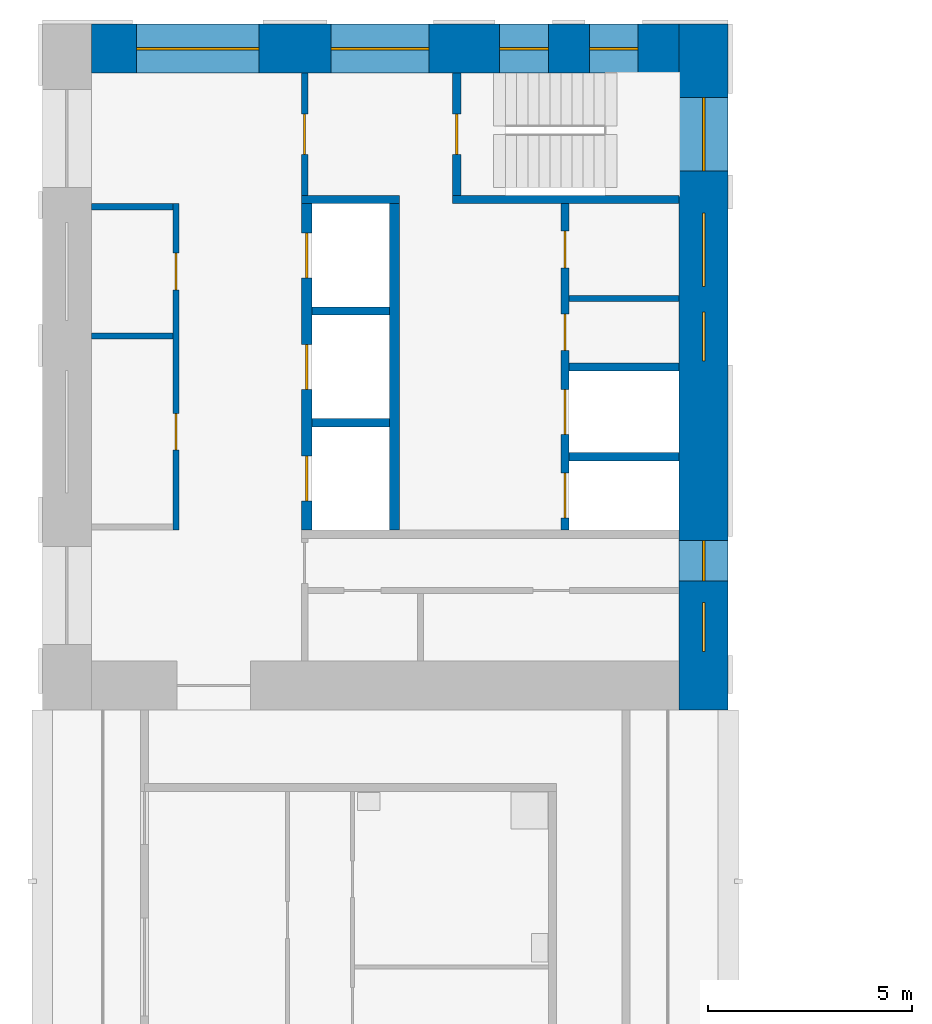
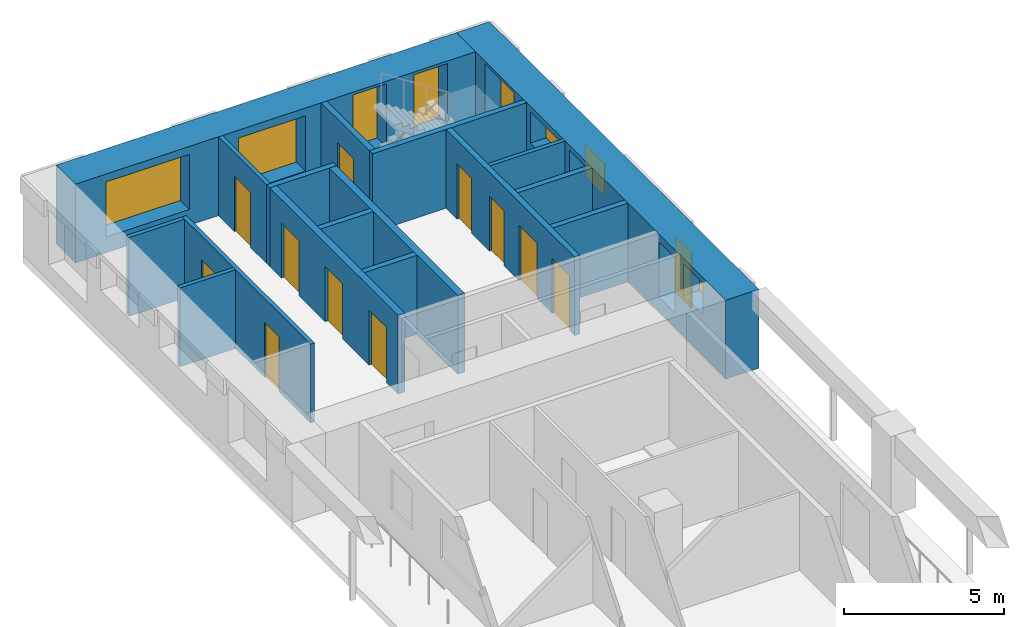
# One storey, part 6 of 11: 17 walls, 11 doors, 9 windows, 20 openings.
"""IFC4 building model written with IfcOpenShell, lengths in metres."""

import ifcopenshell
import ifcopenshell.guid

model = None  # the IFC model being written
_history = None  # IfcOwnerHistory: only IFC2X3 demands one
_inside = {}  # id of a spatial element -> (the spatial element, [elements in it])
_under = {}  # id of a project, library or spatial element -> (it, [spatial elements below it])
_declared = {}  # id of a project -> (the project, [libraries it declares])
_typed = {}  # id of a type object -> (the type object, [elements of that type])
_made_of = {}  # id of a material, layer set ... -> (it, [elements and type objects made of it])


def new_model(schema):
    """Start an empty IFC model of exactly this schema.

    Asked for "IFC4X3", IfcOpenShell would pick the latest addendum, in which some entities
    have other attributes; the version numbers below select the first issue.
    IFC2X3 requires an IfcOwnerHistory on every rooted entity: one is made here for all.
    """
    global model, _history
    if schema == "IFC4X3":
        model = ifcopenshell.file(schema_version=(4, 3, 0, 0))
    else:
        model = ifcopenshell.file(schema=schema)
    _inside.clear()
    _under.clear()
    _declared.clear()
    _typed.clear()
    _made_of.clear()
    _history = None
    if model.schema == "IFC2X3":
        org = make("IfcOrganization", Name="unknown")
        user = make(
            "IfcPersonAndOrganization",
            ThePerson=make("IfcPerson", FamilyName="unknown"),
            TheOrganization=org,
        )
        app = make(
            "IfcApplication",
            ApplicationDeveloper=org,
            Version="unknown",
            ApplicationFullName="unknown",
            ApplicationIdentifier="unknown",
        )
        _history = make(
            "IfcOwnerHistory",
            OwningUser=user,
            OwningApplication=app,
            ChangeAction="ADDED",
            CreationDate=0,
        )
    return model


def make(cls, **values):
    """One entity of the class cls with the attributes given. An attribute that is None is left unset."""
    return model.create_entity(
        cls, **{name: value for name, value in values.items() if value is not None}
    )


def rooted(cls, **values):
    """An entity with a GlobalId (a new one), such as an element, a storey or a relation."""
    return make(cls, GlobalId=ifcopenshell.guid.new(), OwnerHistory=_history, **values)


def si_unit(unit_type, name, prefix=None):
    """IfcSIUnit, for example si_unit("LENGTHUNIT", "METRE", prefix="MILLI")."""
    return make("IfcSIUnit", UnitType=unit_type, Prefix=prefix, Name=name)


def assignment(units):
    """IfcUnitAssignment: the units of a project."""
    return None if units is None else make("IfcUnitAssignment", Units=units)


def point(xyz):
    """IfcCartesianPoint."""
    return None if xyz is None else make("IfcCartesianPoint", Coordinates=xyz)


def direction(xyz):
    """IfcDirection."""
    return None if xyz is None else make("IfcDirection", DirectionRatios=xyz)


def frame(location, z_axis=None, x_axis=None):
    """IfcAxis2Placement3D, a coordinate frame: its origin and axes. An axis left out is left unset."""
    return make(
        "IfcAxis2Placement3D",
        Location=point(location),
        Axis=direction(z_axis),
        RefDirection=direction(x_axis),
    )


def frame_2d(location, x_axis=None):
    """IfcAxis2Placement2D, a coordinate frame in the plane: its origin and x axis."""
    return make(
        "IfcAxis2Placement2D", Location=point(location), RefDirection=direction(x_axis)
    )


def origin():
    """The frame at (0, 0, 0) with its axes left unset."""
    return frame((0.0, 0.0, 0.0))


def place(relative_to, where):
    """IfcLocalPlacement: puts the frame where relative to a parent placement (None: the world)."""
    return make(
        "IfcLocalPlacement", PlacementRelTo=relative_to, RelativePlacement=where
    )


def context(
    kind, dimensions, precision=None, world=None, true_north=None, identifier=None
):
    """IfcGeometricRepresentationContext, for example the 3D "Model" context."""
    return make(
        "IfcGeometricRepresentationContext",
        ContextIdentifier=identifier,
        ContextType=kind,
        CoordinateSpaceDimension=dimensions,
        Precision=precision,
        WorldCoordinateSystem=world,
        TrueNorth=true_north,
    )


def subcontext(parent, identifier, kind, view, scale=None):
    """IfcGeometricRepresentationSubContext, for example "Body" below "Model"."""
    return make(
        "IfcGeometricRepresentationSubContext",
        ContextIdentifier=identifier,
        ContextType=kind,
        ParentContext=parent,
        TargetScale=scale,
        TargetView=view,
    )


def project(units=None, contexts=None):
    """IfcProject with its units and contexts."""
    return rooted(
        "IfcProject",
        Name="project",
        RepresentationContexts=contexts,
        UnitsInContext=assignment(units),
    )


def spatial(cls, under=None, at=None, **own):
    """A site, building, storey or space (cls), placed at a placement, below another one or the project."""
    s = rooted(cls, ObjectPlacement=at, **own)
    if under is not None:
        _under.setdefault(under.id(), (under, []))[1].append(s)
    return s


def profile(cls, at=None, kind="AREA", **sizes):
    """A parametric profile (cls). Its sizes go by their IFC names, for example OverallWidth=200.0."""
    return make(cls, ProfileType=kind, Position=at, **sizes)


def rectangle(**sizes):
    """IfcRectangleProfileDef."""
    return profile("IfcRectangleProfileDef", **sizes)


def extrude(swept, where, along, depth):
    """IfcExtrudedAreaSolid: the profile swept, set in the frame where, extruded along a direction by depth."""
    return make(
        "IfcExtrudedAreaSolid",
        SweptArea=swept,
        Position=where,
        ExtrudedDirection=direction(along),
        Depth=depth,
    )


def shape(context_of_items, identifier, shape_type, items):
    """IfcShapeRepresentation: the items that make up one representation, for example the "Body"."""
    return make(
        "IfcShapeRepresentation",
        ContextOfItems=context_of_items,
        RepresentationIdentifier=identifier,
        RepresentationType=shape_type,
        Items=items,
    )


def material(Name=None, Category=None):
    """IfcMaterial."""
    return make("IfcMaterial", Name=Name, Category=Category)


def layer(
    of_material, thickness, ventilated=None, Name=None, Category=None, Priority=None
):
    """IfcMaterialLayer: one layer of a wall or slab, of a material (None: an air gap)."""
    return make(
        "IfcMaterialLayer",
        Material=of_material,
        LayerThickness=thickness,
        IsVentilated=ventilated,
        Name=Name,
        Category=Category,
        Priority=Priority,
    )


def layer_set(layers, Name=None):
    """IfcMaterialLayerSet."""
    return make("IfcMaterialLayerSet", MaterialLayers=layers, LayerSetName=Name)


def made_of(thing, what):
    """Note that an element or type object is made of a material, layer set ...; save() writes the relation."""
    if what is not None:
        _made_of.setdefault(what.id(), (what, []))[1].append(thing)
    return thing


def type_object(cls, material=None, **own):
    """A type object (cls), such as IfcWallType, which elements share."""
    return made_of(rooted(cls, **own), material)


def element(
    cls,
    number,
    at=None,
    inside=None,
    cuts=None,
    type_object=None,
    material=None,
    context=None,
    identifier="Body",
    shape_type=None,
    held_by="IfcProductDefinitionShape",
    body=None,
    shapes=None,
    **own,
):
    """One element of the class cls, such as IfcWall. Its Tag is "e" and its number.

    at: its placement. inside: the storey or other place that contains it. cuts: it is an
    opening in that element (IfcRelVoidsElement). A single representation is given by context,
    identifier, shape_type and body (its items); several are given by shapes. held_by: the class
    of the entity that holds the representations. save() writes the other relations.
    """
    e = rooted(cls, Tag="e%d" % number, ObjectPlacement=at, **own)
    if body is not None:
        shapes = [shape(context, identifier, shape_type, body)]
    if shapes is not None:
        e.Representation = make(held_by, Representations=shapes)
    if inside is not None:
        _inside.setdefault(inside.id(), (inside, []))[1].append(e)
    if cuts is not None:
        rooted(
            "IfcRelVoidsElement", RelatingBuildingElement=cuts, RelatedOpeningElement=e
        )
    if type_object is not None:
        _typed.setdefault(type_object.id(), (type_object, []))[1].append(e)
    return made_of(e, material)


def fill(opening, filler):
    """IfcRelFillsElement: the door or window that sits in an opening."""
    return rooted(
        "IfcRelFillsElement",
        RelatingOpeningElement=opening,
        RelatedBuildingElement=filler,
    )


def aggregate(whole, parts):
    """IfcRelAggregates: a whole, such as a stair, and the parts it consists of."""
    return rooted("IfcRelAggregates", RelatingObject=whole, RelatedObjects=parts)


def save(model, path):
    """Write the relations noted so far, then the file.

    IfcRelAggregates (storeys below a building ...), IfcRelContainedInSpatialStructure (elements
    in a storey), IfcRelDefinesByType, IfcRelAssociatesMaterial and IfcRelDeclares: one each for
    every whole, place, type object, material and project.
    """
    for whole, parts in _under.values():
        aggregate(whole, parts)
    for where, things in _inside.values():
        rooted(
            "IfcRelContainedInSpatialStructure",
            RelatedElements=things,
            RelatingStructure=where,
        )
    for kind, things in _typed.values():
        rooted("IfcRelDefinesByType", RelatedObjects=things, RelatingType=kind)
    for what, things in _made_of.values():
        rooted("IfcRelAssociatesMaterial", RelatedObjects=things, RelatingMaterial=what)
    for by, libraries in _declared.values():
        rooted("IfcRelDeclares", RelatingContext=by, RelatedDefinitions=libraries)
    model.write(path)


model = new_model("IFC4")

# Units and contexts
model_context = context("Model", 3, precision=1e-05, world=origin(), true_north=direction((0.0, 1.0)))
body_context = subcontext(model_context, "Body", "Model", "MODEL_VIEW")
ifc_project = project(units=[si_unit("LENGTHUNIT", "METRE"), si_unit("AREAUNIT", "SQUARE_METRE"), si_unit("VOLUMEUNIT", "CUBIC_METRE"), si_unit("PLANEANGLEUNIT", "RADIAN"), si_unit("MASSUNIT", "GRAM", prefix="KILO")], contexts=[model_context])

# Site, building, storey
site_placement = place(None, origin())
site = spatial("IfcSite", under=ifc_project, at=site_placement, CompositionType="ELEMENT")
building_placement = place(site_placement, origin())
building = spatial("IfcBuilding", under=site, at=building_placement, Name="Vermilion Gate Residences", CompositionType="ELEMENT")
storey_placement = place(building_placement, frame((0.0, 0.0, 203.699951171875)))
storey = spatial("IfcBuildingStorey", under=building, at=storey_placement, Name="L53", CompositionType="ELEMENT", Elevation=203.699951171875)

# Walls
ifc_material_1 = material(Name="Masonry blockwork", Category="masonry")
ifc_layer_1 = layer(ifc_material_1, 0.14990234375)
ifc_layer_set_1 = layer_set([ifc_layer_1], Name="BLOCKWORK PARTITION 150 EI 120")
wall_type_1 = type_object("IfcWallType", Name="BLOCKWORK PARTITION 150 EI 120", PredefinedType="PARTITIONING", material=ifc_layer_set_1)
for number, where, z_axis, x_axis, name in (
    (1, (9.60009765625, 54.324951171875, 0.0), (0.0, 0.0, 1.0), (1.0, 0.0, 0.0), "Core room partition B53-RW-W"),
    (2, (9.60009765625, 51.155029296875, 0.0), (0.0, 0.0, 1.0), (1.0, 0.0, 0.0), "Core room partition B53-SR-P0"),
):
    element("IfcWall", number, at=place(storey_placement, frame(where, z_axis=z_axis, x_axis=x_axis)), inside=storey, type_object=wall_type_1, Name=name, PredefinedType="PARTITIONING", context=body_context, shape_type="SweptSolid", body=[
        extrude(rectangle(XDim=2.0, YDim=0.14990234375, at=frame_2d((1.0, 0.0))), origin(), (0.0, 0.0, 1.0), 3.0),
    ])

# Wall, openings, doors
wall_1_placement = place(storey_placement, frame((11.675048828125, 54.39990234375, 0.0), z_axis=(0.0, 0.0, 1.0), x_axis=(0.0, -1.0, 0.0)))
wall_1 = element("IfcWall", 3, at=wall_1_placement, inside=storey, type_object=wall_type_1, Name="Core room partition B53-LR-F", PredefinedType="PARTITIONING", context=body_context, shape_type="SweptSolid", body=[
    extrude(rectangle(XDim=8.0, YDim=0.14990234375, at=frame_2d((4.0, 0.0))), origin(), (0.0, 0.0, 1.0), 3.0),
])
opening_1_placement = place(wall_1_placement, frame((1.2099609375, 0.0, 0.0)))
opening_1 = element("IfcOpeningElement", 4, at=opening_1_placement, cuts=wall_1, Name="Opening DK53102", PredefinedType="OPENING", context=body_context, shape_type="SweptSolid", body=[
    extrude(rectangle(XDim=0.89990234375, YDim=2.10009765625, at=frame_2d((0.449951171875, 1.050048828125))), frame((0.0, 0.0849609375, 0.0), z_axis=(0.0, -1.0, 0.0), x_axis=(1.0, 0.0, 0.0)), (0.0, 0.0, 1.0), 0.169921875),
])
opening_2_placement = place(wall_1_placement, frame((5.135009765625, 0.0, 0.0)))
opening_2 = element("IfcOpeningElement", 5, at=opening_2_placement, cuts=wall_1, Name="Opening DK53103", PredefinedType="OPENING", context=body_context, shape_type="SweptSolid", body=[
    extrude(rectangle(XDim=0.89990234375, YDim=2.10009765625, at=frame_2d((0.449951171875, 1.050048828125))), frame((0.0, 0.0849609375, 0.0), z_axis=(0.0, -1.0, 0.0), x_axis=(1.0, 0.0, 0.0)), (0.0, 0.0, 1.0), 0.169921875),
])
ifc_material_2 = material(Name="Steel", Category="steel")
door_type_1 = type_object("IfcDoorType", Name="SERVICE ROOM DOOR FD60 900 X 2100", OperationType="SINGLE_SWING_LEFT", PredefinedType="DOOR", material=ifc_material_2)
door_1_placement = place(opening_1_placement, frame((0.89990234375, 0.0, 0.0), z_axis=(0.0, 0.0, 1.0), x_axis=(-1.0, 0.0, 0.0)))
door_1 = element("IfcDoor", 6, at=door_1_placement, inside=storey, type_object=door_type_1, Name="Refuse room B53", OperationType="SINGLE_SWING_LEFT", OverallHeight=2.10009765625, OverallWidth=0.89990234375, PredefinedType="DOOR", context=body_context, shape_type="SweptSolid", body=[
    extrude(rectangle(XDim=0.89990234375, YDim=2.10009765625, at=frame_2d((0.449951171875, 1.050048828125))), frame((0.0, 0.02490234375, 0.0), z_axis=(0.0, -1.0, 0.0), x_axis=(1.0, 0.0, 0.0)), (0.0, 0.0, 1.0), 0.050048828125),
])
fill(opening_1, door_1)
door_2_placement = place(opening_2_placement, frame((0.89990234375, 0.0, 0.0), z_axis=(0.0, 0.0, 1.0), x_axis=(-1.0, 0.0, 0.0)))
door_2 = element("IfcDoor", 7, at=door_2_placement, inside=storey, type_object=door_type_1, Name="Parcel room B53", OperationType="SINGLE_SWING_LEFT", OverallHeight=2.10009765625, OverallWidth=0.89990234375, PredefinedType="DOOR", context=body_context, shape_type="SweptSolid", body=[
    extrude(rectangle(XDim=0.89990234375, YDim=2.10009765625, at=frame_2d((0.449951171875, 1.050048828125))), frame((0.0, 0.02490234375, 0.0), z_axis=(0.0, -1.0, 0.0), x_axis=(1.0, 0.0, 0.0)), (0.0, 0.0, 1.0), 0.050048828125),
])
fill(opening_2, door_2)

# Wall
wall_2_placement = place(storey_placement, frame((21.300048828125, 52.074951171875, 0.0), z_axis=(0.0, 0.0, 1.0), x_axis=(1.0, 0.0, 0.0)))
element("IfcWall", 8, at=wall_2_placement, inside=storey, type_object=wall_type_1, Name="Core room partition B53-NR-P0", PredefinedType="PARTITIONING", context=body_context, shape_type="SweptSolid", body=[
    extrude(rectangle(XDim=2.699951171875, YDim=0.14990234375, at=frame_2d((1.35009765625, 0.0))), origin(), (0.0, 0.0, 1.0), 3.0),
])

# Wall, opening, door
wall_3_placement = place(storey_placement, frame((14.824951171875, 57.60009765625, 0.0), z_axis=(0.0, 0.0, 1.0), x_axis=(0.0, -1.0, 0.0)))
wall_3 = element("IfcWall", 9, at=wall_3_placement, inside=storey, type_object=wall_type_1, Name="Core room partition B53-VW-S", PredefinedType="PARTITIONING", context=body_context, shape_type="SweptSolid", body=[
    extrude(rectangle(XDim=3.0, YDim=0.14990234375, at=frame_2d((1.5, 0.0))), origin(), (0.0, 0.0, 1.0), 3.0),
])
opening_3_placement = place(wall_3_placement, frame((1.0, 0.0, 0.0)))
opening_3 = element("IfcOpeningElement", 10, at=opening_3_placement, cuts=wall_3, Name="Opening DK53111", PredefinedType="OPENING", context=body_context, shape_type="SweptSolid", body=[
    extrude(rectangle(XDim=1.0, YDim=2.10009765625, at=frame_2d((0.5, 1.050048828125))), frame((0.0, 0.0849609375, 0.0), z_axis=(0.0, -1.0, 0.0), x_axis=(1.0, 0.0, 0.0)), (0.0, 0.0, 1.0), 0.169921875),
])
ifc_material_3 = material(Name="Steel", Category="steel")
door_type_2 = type_object("IfcDoorType", Name="FIRE DOOR FD60 1000 X 2100", OperationType="SINGLE_SWING_LEFT", PredefinedType="DOOR", material=ifc_material_3)
door_3_placement = place(opening_3_placement, frame((1.0, 0.0, 0.0), z_axis=(0.0, 0.0, 1.0), x_axis=(-1.0, 0.0, 0.0)))
door_3 = element("IfcDoor", 11, at=door_3_placement, inside=storey, type_object=door_type_2, Name="Stair vestibule door B53", OperationType="SINGLE_SWING_RIGHT", OverallHeight=2.10009765625, OverallWidth=1.0, PredefinedType="DOOR", context=body_context, shape_type="SweptSolid", body=[
    extrude(rectangle(XDim=1.0, YDim=2.10009765625, at=frame_2d((0.5, 1.050048828125))), frame((0.0, 0.02490234375, 0.0), z_axis=(0.0, -1.0, 0.0), x_axis=(1.0, 0.0, 0.0)), (0.0, 0.0, 1.0), 0.050048828125),
])
fill(opening_3, door_3)

# Walls
ifc_material_4 = material(Name="Concrete C60", Category="concrete")
ifc_layer_2 = layer(ifc_material_4, 0.199951171875)
ifc_layer_set_2 = layer_set([ifc_layer_2], Name="RC CORE INTERNAL WALL 200 C60")
wall_type_2 = type_object("IfcWallType", Name="RC CORE INTERNAL WALL 200 C60", PredefinedType="SHEAR", material=ifc_layer_set_2)
for number, where, z_axis, x_axis, name in (
    (12, (15.0, 51.7666015625, 0.0), (0.0, 0.0, 1.0), (1.0, 0.0, 0.0), "Core internal wall B53-HR-D1"),
    (13, (15.0, 49.033447265625, 0.0), (0.0, 0.0, 1.0), (1.0, 0.0, 0.0), "Core internal wall B53-HR-D2"),
):
    element("IfcWall", number, at=place(storey_placement, frame(where, z_axis=z_axis, x_axis=x_axis)), inside=storey, type_object=wall_type_2, Name=name, PredefinedType="SHEAR", context=body_context, shape_type="SweptSolid", body=[
        extrude(rectangle(XDim=1.89990234375, YDim=0.199951171875, at=frame_2d((0.949951171875, 0.0))), origin(), (0.0, 0.0, 1.0), 3.0),
    ])
for number, where, z_axis, x_axis, name in (
    (14, (21.300048828125, 50.39990234375, 0.0), (0.0, 0.0, 1.0), (1.0, 0.0, 0.0), "Core internal wall B53-FF-D0"),
    (15, (21.300048828125, 48.199951171875, 0.0), (0.0, 0.0, 1.0), (1.0, 0.0, 0.0), "Core internal wall B53-FF-D1"),
):
    element("IfcWall", number, at=place(storey_placement, frame(where, z_axis=z_axis, x_axis=x_axis)), inside=storey, type_object=wall_type_2, Name=name, PredefinedType="SHEAR", context=body_context, shape_type="SweptSolid", body=[
        extrude(rectangle(XDim=2.699951171875, YDim=0.199951171875, at=frame_2d((1.35009765625, 0.0))), origin(), (0.0, 0.0, 1.0), 3.0),
    ])

# Wall, openings, doors
wall_4_placement = place(storey_placement, frame((21.199951171875, 54.39990234375, 0.0), z_axis=(0.0, 0.0, 1.0), x_axis=(0.0, -1.0, 0.0)))
wall_4 = element("IfcWall", 16, at=wall_4_placement, inside=storey, type_object=wall_type_2, Name="Core internal wall B53-FF-F", PredefinedType="SHEAR", context=body_context, shape_type="SweptSolid", body=[
    extrude(rectangle(XDim=8.0, YDim=0.199951171875, at=frame_2d((4.0, 0.0))), origin(), (0.0, 0.0, 1.0), 3.0),
])
opening_4_placement = place(wall_4_placement, frame((0.675048828125, 0.0, 0.0)))
opening_4 = element("IfcOpeningElement", 17, at=opening_4_placement, cuts=wall_4, Name="Opening DK53107", PredefinedType="OPENING", context=body_context, shape_type="SweptSolid", body=[
    extrude(rectangle(XDim=0.89990234375, YDim=2.10009765625, at=frame_2d((0.449951171875, 1.050048828125))), frame((0.0, 0.10986328125, 0.0), z_axis=(0.0, -1.0, 0.0), x_axis=(1.0, 0.0, 0.0)), (0.0, 0.0, 1.0), 0.219970703125),
])
opening_5_placement = place(wall_4_placement, frame((2.699951171875, 0.0, 0.0)))
opening_5 = element("IfcOpeningElement", 18, at=opening_5_placement, cuts=wall_4, Name="Opening DK53108", PredefinedType="OPENING", context=body_context, shape_type="SweptSolid", body=[
    extrude(rectangle(XDim=0.89990234375, YDim=2.10009765625, at=frame_2d((0.449951171875, 1.050048828125))), frame((0.0, 0.10986328125, 0.0), z_axis=(0.0, -1.0, 0.0), x_axis=(1.0, 0.0, 0.0)), (0.0, 0.0, 1.0), 0.219970703125),
])
opening_6_placement = place(wall_4_placement, frame((4.550048828125, 0.0, 0.0)))
opening_6 = element("IfcOpeningElement", 19, at=opening_6_placement, cuts=wall_4, Name="Opening LD", PredefinedType="OPENING", context=body_context, shape_type="SweptSolid", body=[
    extrude(rectangle(XDim=1.10009765625, YDim=2.10009765625, at=frame_2d((0.550048828125, 1.050048828125))), frame((0.0, 0.10986328125, 0.0), z_axis=(0.0, -1.0, 0.0), x_axis=(1.0, 0.0, 0.0)), (0.0, 0.0, 1.0), 0.219970703125),
])
opening_7_placement = place(wall_4_placement, frame((6.60009765625, 0.0, 0.0)))
opening_7 = element("IfcOpeningElement", 20, at=opening_7_placement, cuts=wall_4, Name="Opening LD", PredefinedType="OPENING", context=body_context, shape_type="SweptSolid", body=[
    extrude(rectangle(XDim=1.10009765625, YDim=2.10009765625, at=frame_2d((0.550048828125, 1.050048828125))), frame((0.0, 0.10986328125, 0.0), z_axis=(0.0, -1.0, 0.0), x_axis=(1.0, 0.0, 0.0)), (0.0, 0.0, 1.0), 0.219970703125),
])
ifc_material_5 = material(Name="Stainless steel", Category="steel")
door_type_3 = type_object("IfcDoorType", Name="LIFT LANDING DOOR E60 1100 X 2100", OperationType="DOUBLE_DOOR_SLIDING", PredefinedType="DOOR", material=ifc_material_5)
door_4_placement = place(opening_6_placement, origin())
door_4 = element("IfcDoor", 21, at=door_4_placement, inside=storey, type_object=door_type_3, Name="Lift landing door LFB1", OperationType="DOUBLE_DOOR_SLIDING", OverallHeight=2.10009765625, OverallWidth=1.10009765625, PredefinedType="DOOR", context=body_context, shape_type="SweptSolid", body=[
    extrude(rectangle(XDim=1.10009765625, YDim=2.10009765625, at=frame_2d((0.550048828125, 1.050048828125))), frame((0.0, 0.02490234375, 0.0), z_axis=(0.0, -1.0, 0.0), x_axis=(1.0, 0.0, 0.0)), (0.0, 0.0, 1.0), 0.050048828125),
])
fill(opening_6, door_4)
door_5_placement = place(opening_7_placement, origin())
door_5 = element("IfcDoor", 22, at=door_5_placement, inside=storey, type_object=door_type_3, Name="Lift landing door LCB1", OperationType="DOUBLE_DOOR_SLIDING", OverallHeight=2.10009765625, OverallWidth=1.10009765625, PredefinedType="DOOR", context=body_context, shape_type="SweptSolid", body=[
    extrude(rectangle(XDim=1.10009765625, YDim=2.10009765625, at=frame_2d((0.550048828125, 1.050048828125))), frame((0.0, 0.02490234375, 0.0), z_axis=(0.0, -1.0, 0.0), x_axis=(1.0, 0.0, 0.0)), (0.0, 0.0, 1.0), 0.050048828125),
])
fill(opening_7, door_5)
door_6_placement = place(opening_4_placement, origin())
door_6 = element("IfcDoor", 23, at=door_6_placement, inside=storey, type_object=door_type_1, Name="Communications riser B53", OperationType="SINGLE_SWING_RIGHT", OverallHeight=2.10009765625, OverallWidth=0.89990234375, PredefinedType="DOOR", context=body_context, shape_type="SweptSolid", body=[
    extrude(rectangle(XDim=0.89990234375, YDim=2.10009765625, at=frame_2d((0.449951171875, 1.050048828125))), frame((0.0, 0.02490234375, 0.0), z_axis=(0.0, -1.0, 0.0), x_axis=(1.0, 0.0, 0.0)), (0.0, 0.0, 1.0), 0.050048828125),
])
fill(opening_4, door_6)
door_7_placement = place(opening_5_placement, origin())
door_7 = element("IfcDoor", 24, at=door_7_placement, inside=storey, type_object=door_type_1, Name="Refuse room B53", OperationType="SINGLE_SWING_RIGHT", OverallHeight=2.10009765625, OverallWidth=0.89990234375, PredefinedType="DOOR", context=body_context, shape_type="SweptSolid", body=[
    extrude(rectangle(XDim=0.89990234375, YDim=2.10009765625, at=frame_2d((0.449951171875, 1.050048828125))), frame((0.0, 0.02490234375, 0.0), z_axis=(0.0, -1.0, 0.0), x_axis=(1.0, 0.0, 0.0)), (0.0, 0.0, 1.0), 0.050048828125),
])
fill(opening_5, door_7)

# Walls
wall_5_placement = place(storey_placement, frame((14.75, 54.5, 0.0), z_axis=(0.0, 0.0, 1.0), x_axis=(1.0, 0.0, 0.0)))
element("IfcWall", 25, at=wall_5_placement, inside=storey, type_object=wall_type_2, Name="Core internal wall B53-WDIV1", PredefinedType="SHEAR", context=body_context, shape_type="SweptSolid", body=[
    extrude(rectangle(XDim=2.39990234375, YDim=0.199951171875, at=frame_2d((1.199951171875, 0.0))), origin(), (0.0, 0.0, 1.0), 3.0),
])
wall_6_placement = place(storey_placement, frame((18.449951171875, 54.5, 0.0), z_axis=(0.0, 0.0, 1.0), x_axis=(1.0, 0.0, 0.0)))
element("IfcWall", 26, at=wall_6_placement, inside=storey, type_object=wall_type_2, Name="Core internal wall B53-WDIV2", PredefinedType="SHEAR", context=body_context, shape_type="SweptSolid", body=[
    extrude(rectangle(XDim=5.550048828125, YDim=0.199951171875, at=frame_2d((2.77490234375, 0.0))), origin(), (0.0, 0.0, 1.0), 3.0),
])

# Wall, opening, door
wall_7_placement = place(storey_placement, frame((18.550048828125, 57.60009765625, 0.0), z_axis=(0.0, 0.0, 1.0), x_axis=(0.0, -1.0, 0.0)))
wall_7 = element("IfcWall", 27, at=wall_7_placement, inside=storey, type_object=wall_type_2, Name="Core internal wall B53-STW-S", PredefinedType="SHEAR", context=body_context, shape_type="SweptSolid", body=[
    extrude(rectangle(XDim=3.0, YDim=0.199951171875, at=frame_2d((1.5, 0.0))), origin(), (0.0, 0.0, 1.0), 3.0),
])
opening_8_placement = place(wall_7_placement, frame((1.0, 0.0, 0.0)))
opening_8 = element("IfcOpeningElement", 28, at=opening_8_placement, cuts=wall_7, Name="Opening DK53112", PredefinedType="OPENING", context=body_context, shape_type="SweptSolid", body=[
    extrude(rectangle(XDim=1.0, YDim=2.10009765625, at=frame_2d((0.5, 1.050048828125))), frame((0.0, 0.10986328125, 0.0), z_axis=(0.0, -1.0, 0.0), x_axis=(1.0, 0.0, 0.0)), (0.0, 0.0, 1.0), 0.219970703125),
])
door_8_placement = place(opening_8_placement, origin())
door_8 = element("IfcDoor", 29, at=door_8_placement, inside=storey, type_object=door_type_2, Name="Stair door B53", OperationType="SINGLE_SWING_LEFT", OverallHeight=2.10009765625, OverallWidth=1.0, PredefinedType="DOOR", context=body_context, shape_type="SweptSolid", body=[
    extrude(rectangle(XDim=1.0, YDim=2.10009765625, at=frame_2d((0.5, 1.050048828125))), frame((0.0, 0.02490234375, 0.0), z_axis=(0.0, -1.0, 0.0), x_axis=(1.0, 0.0, 0.0)), (0.0, 0.0, 1.0), 0.050048828125),
])
fill(opening_8, door_8)

# Wall, openings, windows
ifc_material_6 = material(Name="Concrete C60 red-oxide pigmented", Category="concrete")
ifc_layer_3 = layer(ifc_material_6, 1.199951171875)
ifc_layer_set_3 = layer_set([ifc_layer_3], Name="RC CORE WALL 1200 C60 RED OXIDE")
wall_type_3 = type_object("IfcWallType", Name="RC CORE WALL 1200 C60 RED OXIDE", PredefinedType="SHEAR", material=ifc_layer_set_3)
wall_8_placement = place(storey_placement, frame((24.60009765625, 58.800048828125, 0.0), z_axis=(0.0, 0.0, 1.0), x_axis=(0.0, -1.0, 0.0)))
wall_8 = element("IfcWall", 30, at=wall_8_placement, inside=storey, type_object=wall_type_3, Name="Core wall B53-OUT-B1", PredefinedType="SHEAR", context=body_context, shape_type="SweptSolid", body=[
    extrude(rectangle(XDim=16.800048828125, YDim=1.199951171875, at=frame_2d((8.39990234375, 0.0))), origin(), (0.0, 0.0, 1.0), 3.0),
])
opening_9_placement = place(wall_8_placement, frame((1.800048828125, 0.0, 0.5)))
opening_9 = element("IfcOpeningElement", 31, at=opening_9_placement, cuts=wall_8, Name="Opening WKB5305", PredefinedType="OPENING", context=body_context, shape_type="SweptSolid", body=[
    extrude(rectangle(XDim=1.800048828125, YDim=2.39990234375, at=frame_2d((0.89990234375, 1.199951171875))), frame((0.0, 0.60986328125, 0.0), z_axis=(0.0, -1.0, 0.0), x_axis=(1.0, 0.0, 0.0)), (0.0, 0.0, 1.0), 1.219970703125),
])
opening_10_placement = place(wall_8_placement, frame((4.625, 0.0, 1.60009765625)))
opening_10 = element("IfcOpeningElement", 32, at=opening_10_placement, cuts=wall_8, Name="Opening WKB5306", PredefinedType="OPENING", context=body_context, shape_type="SweptSolid", body=[
    extrude(rectangle(XDim=1.800048828125, YDim=1.199951171875, at=frame_2d((0.89990234375, 0.60009765625))), frame((0.0, 0.60986328125, 0.0), z_axis=(0.0, -1.0, 0.0), x_axis=(1.0, 0.0, 0.0)), (0.0, 0.0, 1.0), 1.219970703125),
])
opening_11_placement = place(wall_8_placement, frame((7.050048828125, 0.0, 1.60009765625)))
opening_11 = element("IfcOpeningElement", 33, at=opening_11_placement, cuts=wall_8, Name="Opening WKB5307", PredefinedType="OPENING", context=body_context, shape_type="SweptSolid", body=[
    extrude(rectangle(XDim=1.199951171875, YDim=1.199951171875, at=frame_2d((0.60009765625, 0.60009765625))), frame((0.0, 0.60986328125, 0.0), z_axis=(0.0, -1.0, 0.0), x_axis=(1.0, 0.0, 0.0)), (0.0, 0.0, 1.0), 1.219970703125),
])
opening_12_placement = place(wall_8_placement, frame((12.64990234375, 0.0, 0.60009765625)))
opening_12 = element("IfcOpeningElement", 34, at=opening_12_placement, cuts=wall_8, Name="Opening WKB5308", PredefinedType="OPENING", context=body_context, shape_type="SweptSolid", body=[
    extrude(rectangle(XDim=1.0, YDim=2.10009765625, at=frame_2d((0.5, 1.050048828125))), frame((0.0, 0.60986328125, 0.0), z_axis=(0.0, -1.0, 0.0), x_axis=(1.0, 0.0, 0.0)), (0.0, 0.0, 1.0), 1.219970703125),
])
opening_13_placement = place(wall_8_placement, frame((14.175048828125, 0.0, 1.60009765625)))
opening_13 = element("IfcOpeningElement", 35, at=opening_13_placement, cuts=wall_8, Name="Opening WKB5309", PredefinedType="OPENING", context=body_context, shape_type="SweptSolid", body=[
    extrude(rectangle(XDim=1.199951171875, YDim=1.199951171875, at=frame_2d((0.60009765625, 0.60009765625))), frame((0.0, 0.60986328125, 0.0), z_axis=(0.0, -1.0, 0.0), x_axis=(1.0, 0.0, 0.0)), (0.0, 0.0, 1.0), 1.219970703125),
])
ifc_material_7 = material(Name="Aluminium and clear glass", Category="aluminium")
window_type_1 = type_object("IfcWindowType", Name="CORE CORRIDOR WINDOW 1000 X 2100", PartitioningType="SINGLE_PANEL", PredefinedType="WINDOW", material=ifc_material_7)
window_1_placement = place(opening_12_placement, origin())
window_1 = element("IfcWindow", 36, at=window_1_placement, inside=storey, type_object=window_type_1, Name="Core corridor window", OverallHeight=2.10009765625, OverallWidth=1.0, PartitioningType="SINGLE_PANEL", PredefinedType="WINDOW", context=body_context, shape_type="SweptSolid", body=[
    extrude(rectangle(XDim=1.0, YDim=2.10009765625, at=frame_2d((0.5, 1.050048828125))), frame((0.0, 0.030029296875, 0.0), z_axis=(0.0, -1.0, 0.0), x_axis=(1.0, 0.0, 0.0)), (0.0, 0.0, 1.0), 0.06005859375),
])
fill(opening_12, window_1)
ifc_material_8 = material(Name="Aluminium frame with louvre blades", Category="aluminium")
window_type_2 = type_object("IfcWindowType", Name="CORE LOUVRE 1200 X 1200", PartitioningType="SINGLE_PANEL", PredefinedType="WINDOW", material=ifc_material_8)
window_2_placement = place(opening_11_placement, origin())
window_2 = element("IfcWindow", 37, at=window_2_placement, inside=storey, type_object=window_type_2, Name="Core louvre", OverallHeight=1.199951171875, OverallWidth=1.199951171875, PartitioningType="SINGLE_PANEL", PredefinedType="WINDOW", context=body_context, shape_type="SweptSolid", body=[
    extrude(rectangle(XDim=1.199951171875, YDim=1.199951171875, at=frame_2d((0.60009765625, 0.60009765625))), frame((0.0, 0.030029296875, 0.0), z_axis=(0.0, -1.0, 0.0), x_axis=(1.0, 0.0, 0.0)), (0.0, 0.0, 1.0), 0.06005859375),
])
fill(opening_11, window_2)
window_3_placement = place(opening_13_placement, origin())
window_3 = element("IfcWindow", 38, at=window_3_placement, inside=storey, type_object=window_type_2, Name="Core louvre", OverallHeight=1.199951171875, OverallWidth=1.199951171875, PartitioningType="SINGLE_PANEL", PredefinedType="WINDOW", context=body_context, shape_type="SweptSolid", body=[
    extrude(rectangle(XDim=1.199951171875, YDim=1.199951171875, at=frame_2d((0.60009765625, 0.60009765625))), frame((0.0, 0.030029296875, 0.0), z_axis=(0.0, -1.0, 0.0), x_axis=(1.0, 0.0, 0.0)), (0.0, 0.0, 1.0), 0.06005859375),
])
fill(opening_13, window_3)
ifc_material_9 = material(Name="Aluminium frame with louvre blades", Category="aluminium")
window_type_3 = type_object("IfcWindowType", Name="CORE LOUVRE 1800 X 1200", PartitioningType="SINGLE_PANEL", PredefinedType="WINDOW", material=ifc_material_9)
window_4_placement = place(opening_10_placement, origin())
window_4 = element("IfcWindow", 39, at=window_4_placement, inside=storey, type_object=window_type_3, Name="Core louvre", OverallHeight=1.199951171875, OverallWidth=1.800048828125, PartitioningType="SINGLE_PANEL", PredefinedType="WINDOW", context=body_context, shape_type="SweptSolid", body=[
    extrude(rectangle(XDim=1.800048828125, YDim=1.199951171875, at=frame_2d((0.89990234375, 0.60009765625))), frame((0.0, 0.030029296875, 0.0), z_axis=(0.0, -1.0, 0.0), x_axis=(1.0, 0.0, 0.0)), (0.0, 0.0, 1.0), 0.06005859375),
])
fill(opening_10, window_4)
ifc_material_10 = material(Name="Aluminium and clear glass", Category="aluminium")
window_type_4 = type_object("IfcWindowType", Name="CORE STAIR WINDOW 1800 X 2400", PartitioningType="SINGLE_PANEL", PredefinedType="WINDOW", material=ifc_material_10)
window_5_placement = place(opening_9_placement, origin())
window_5 = element("IfcWindow", 40, at=window_5_placement, inside=storey, type_object=window_type_4, Name="Core stair window", OverallHeight=2.39990234375, OverallWidth=1.800048828125, PartitioningType="SINGLE_PANEL", PredefinedType="WINDOW", context=body_context, shape_type="SweptSolid", body=[
    extrude(rectangle(XDim=1.800048828125, YDim=2.39990234375, at=frame_2d((0.89990234375, 1.199951171875))), frame((0.0, 0.030029296875, 0.0), z_axis=(0.0, -1.0, 0.0), x_axis=(1.0, 0.0, 0.0)), (0.0, 0.0, 1.0), 0.06005859375),
])
fill(opening_9, window_5)

wall_9_placement = place(storey_placement, frame((9.60009765625, 58.199951171875, 0.0), z_axis=(0.0, 0.0, 1.0), x_axis=(1.0, 0.0, 0.0)))
wall_9 = element("IfcWall", 41, at=wall_9_placement, inside=storey, type_object=wall_type_3, Name="Core wall B53-OUT-FR", PredefinedType="SHEAR", context=body_context, shape_type="SweptSolid", body=[
    extrude(rectangle(XDim=14.39990234375, YDim=1.199951171875, at=frame_2d((7.199951171875, 0.0))), origin(), (0.0, 0.0, 1.0), 3.0),
])
opening_14_placement = place(wall_9_placement, frame((1.10498046875, 0.0, 0.60009765625)))
opening_14 = element("IfcOpeningElement", 42, at=opening_14_placement, cuts=wall_9, Name="Opening WKB5310", PredefinedType="OPENING", context=body_context, shape_type="SweptSolid", body=[
    extrude(rectangle(XDim=3.0, YDim=2.10009765625, at=frame_2d((1.5, 1.050048828125))), frame((0.0, 0.60986328125, 0.0), z_axis=(0.0, -1.0, 0.0), x_axis=(1.0, 0.0, 0.0)), (0.0, 0.0, 1.0), 1.219970703125),
])
opening_15_placement = place(wall_9_placement, frame((5.875, 0.0, 0.60009765625)))
opening_15 = element("IfcOpeningElement", 43, at=opening_15_placement, cuts=wall_9, Name="Opening WKB5311", PredefinedType="OPENING", context=body_context, shape_type="SweptSolid", body=[
    extrude(rectangle(XDim=2.39990234375, YDim=2.10009765625, at=frame_2d((1.199951171875, 1.050048828125))), frame((0.0, 0.60986328125, 0.0), z_axis=(0.0, -1.0, 0.0), x_axis=(1.0, 0.0, 0.0)), (0.0, 0.0, 1.0), 1.219970703125),
])
opening_16_placement = place(wall_9_placement, frame((9.993408203125, 0.0, 0.5)))
opening_16 = element("IfcOpeningElement", 44, at=opening_16_placement, cuts=wall_9, Name="Opening WKB5312", PredefinedType="OPENING", context=body_context, shape_type="SweptSolid", body=[
    extrude(rectangle(XDim=1.199951171875, YDim=2.39990234375, at=frame_2d((0.60009765625, 1.199951171875))), frame((0.0, 0.60986328125, 0.0), z_axis=(0.0, -1.0, 0.0), x_axis=(1.0, 0.0, 0.0)), (0.0, 0.0, 1.0), 1.219970703125),
])
opening_17_placement = place(wall_9_placement, frame((12.19677734375, 0.0, 0.5)))
opening_17 = element("IfcOpeningElement", 45, at=opening_17_placement, cuts=wall_9, Name="Opening WKB5313", PredefinedType="OPENING", context=body_context, shape_type="SweptSolid", body=[
    extrude(rectangle(XDim=1.199951171875, YDim=2.39990234375, at=frame_2d((0.60009765625, 1.199951171875))), frame((0.0, 0.60986328125, 0.0), z_axis=(0.0, -1.0, 0.0), x_axis=(1.0, 0.0, 0.0)), (0.0, 0.0, 1.0), 1.219970703125),
])
ifc_material_11 = material(Name="Aluminium and clear glass", Category="aluminium")
window_type_5 = type_object("IfcWindowType", Name="CORE LOBBY WINDOW 2400 X 2100", PartitioningType="SINGLE_PANEL", PredefinedType="WINDOW", material=ifc_material_11)
window_6_placement = place(opening_15_placement, origin())
window_6 = element("IfcWindow", 46, at=window_6_placement, inside=storey, type_object=window_type_5, Name="Core lobby window", OverallHeight=2.10009765625, OverallWidth=2.39990234375, PartitioningType="SINGLE_PANEL", PredefinedType="WINDOW", context=body_context, shape_type="SweptSolid", body=[
    extrude(rectangle(XDim=2.39990234375, YDim=2.10009765625, at=frame_2d((1.199951171875, 1.050048828125))), frame((0.0, 0.030029296875, 0.0), z_axis=(0.0, -1.0, 0.0), x_axis=(1.0, 0.0, 0.0)), (0.0, 0.0, 1.0), 0.06005859375),
])
fill(opening_15, window_6)
ifc_material_12 = material(Name="Aluminium and clear glass", Category="aluminium")
window_type_6 = type_object("IfcWindowType", Name="CORE LOBBY WINDOW 3000 X 2100", PartitioningType="SINGLE_PANEL", PredefinedType="WINDOW", material=ifc_material_12)
window_7_placement = place(opening_14_placement, origin())
window_7 = element("IfcWindow", 47, at=window_7_placement, inside=storey, type_object=window_type_6, Name="Core lobby window", OverallHeight=2.10009765625, OverallWidth=3.0, PartitioningType="SINGLE_PANEL", PredefinedType="WINDOW", context=body_context, shape_type="SweptSolid", body=[
    extrude(rectangle(XDim=3.0, YDim=2.10009765625, at=frame_2d((1.5, 1.050048828125))), frame((0.0, 0.030029296875, 0.0), z_axis=(0.0, -1.0, 0.0), x_axis=(1.0, 0.0, 0.0)), (0.0, 0.0, 1.0), 0.06005859375),
])
fill(opening_14, window_7)
ifc_material_13 = material(Name="Aluminium and clear glass", Category="aluminium")
window_type_7 = type_object("IfcWindowType", Name="CORE STAIR WINDOW 1200 X 2400", PartitioningType="SINGLE_PANEL", PredefinedType="WINDOW", material=ifc_material_13)
window_8_placement = place(opening_16_placement, origin())
window_8 = element("IfcWindow", 48, at=window_8_placement, inside=storey, type_object=window_type_7, Name="Core stair window", OverallHeight=2.39990234375, OverallWidth=1.199951171875, PartitioningType="SINGLE_PANEL", PredefinedType="WINDOW", context=body_context, shape_type="SweptSolid", body=[
    extrude(rectangle(XDim=1.199951171875, YDim=2.39990234375, at=frame_2d((0.60009765625, 1.199951171875))), frame((0.0, 0.030029296875, 0.0), z_axis=(0.0, -1.0, 0.0), x_axis=(1.0, 0.0, 0.0)), (0.0, 0.0, 1.0), 0.06005859375),
])
fill(opening_16, window_8)
window_9_placement = place(opening_17_placement, origin())
window_9 = element("IfcWindow", 49, at=window_9_placement, inside=storey, type_object=window_type_7, Name="Core stair window", OverallHeight=2.39990234375, OverallWidth=1.199951171875, PartitioningType="SINGLE_PANEL", PredefinedType="WINDOW", context=body_context, shape_type="SweptSolid", body=[
    extrude(rectangle(XDim=1.199951171875, YDim=2.39990234375, at=frame_2d((0.60009765625, 1.199951171875))), frame((0.0, 0.030029296875, 0.0), z_axis=(0.0, -1.0, 0.0), x_axis=(1.0, 0.0, 0.0)), (0.0, 0.0, 1.0), 0.06005859375),
])
fill(opening_17, window_9)

# Wall, openings, doors
ifc_material_14 = material(Name="Concrete C60", Category="concrete")
ifc_layer_4 = layer(ifc_material_14, 0.25)
ifc_layer_set_4 = layer_set([ifc_layer_4], Name="RC LIFT SHAFT WALL 250 C60")
wall_type_4 = type_object("IfcWallType", Name="RC LIFT SHAFT WALL 250 C60", PredefinedType="SHEAR", material=ifc_layer_set_4)
wall_10_placement = place(storey_placement, frame((14.875, 54.39990234375, 0.0), z_axis=(0.0, 0.0, 1.0), x_axis=(0.0, -1.0, 0.0)))
wall_10 = element("IfcWall", 50, at=wall_10_placement, inside=storey, type_object=wall_type_4, Name="Lift shaft wall B53-HR-F", PredefinedType="SHEAR", context=body_context, shape_type="SweptSolid", body=[
    extrude(rectangle(XDim=8.0, YDim=0.25, at=frame_2d((4.0, 0.0))), origin(), (0.0, 0.0, 1.0), 3.0),
])
opening_18_placement = place(wall_10_placement, frame((0.716552734375, 0.0, 0.0)))
opening_18 = element("IfcOpeningElement", 51, at=opening_18_placement, cuts=wall_10, Name="Opening LD", PredefinedType="OPENING", context=body_context, shape_type="SweptSolid", body=[
    extrude(rectangle(XDim=1.10009765625, YDim=2.10009765625, at=frame_2d((0.550048828125, 1.050048828125))), frame((0.0, 0.135009765625, 0.0), z_axis=(0.0, -1.0, 0.0), x_axis=(1.0, 0.0, 0.0)), (0.0, 0.0, 1.0), 0.27001953125),
])
opening_19_placement = place(wall_10_placement, frame((3.449951171875, 0.0, 0.0)))
opening_19 = element("IfcOpeningElement", 52, at=opening_19_placement, cuts=wall_10, Name="Opening LD", PredefinedType="OPENING", context=body_context, shape_type="SweptSolid", body=[
    extrude(rectangle(XDim=1.10009765625, YDim=2.10009765625, at=frame_2d((0.550048828125, 1.050048828125))), frame((0.0, 0.135009765625, 0.0), z_axis=(0.0, -1.0, 0.0), x_axis=(1.0, 0.0, 0.0)), (0.0, 0.0, 1.0), 0.27001953125),
])
opening_20_placement = place(wall_10_placement, frame((6.183349609375, 0.0, 0.0)))
opening_20 = element("IfcOpeningElement", 53, at=opening_20_placement, cuts=wall_10, Name="Opening LD", PredefinedType="OPENING", context=body_context, shape_type="SweptSolid", body=[
    extrude(rectangle(XDim=1.10009765625, YDim=2.10009765625, at=frame_2d((0.550048828125, 1.050048828125))), frame((0.0, 0.135009765625, 0.0), z_axis=(0.0, -1.0, 0.0), x_axis=(1.0, 0.0, 0.0)), (0.0, 0.0, 1.0), 0.27001953125),
])
door_9_placement = place(opening_18_placement, origin())
door_9 = element("IfcDoor", 54, at=door_9_placement, inside=storey, type_object=door_type_3, Name="Lift landing door HRB1", OperationType="DOUBLE_DOOR_SLIDING", OverallHeight=2.10009765625, OverallWidth=1.10009765625, PredefinedType="DOOR", context=body_context, shape_type="SweptSolid", body=[
    extrude(rectangle(XDim=1.10009765625, YDim=2.10009765625, at=frame_2d((0.550048828125, 1.050048828125))), frame((0.0, 0.02490234375, 0.0), z_axis=(0.0, -1.0, 0.0), x_axis=(1.0, 0.0, 0.0)), (0.0, 0.0, 1.0), 0.050048828125),
])
fill(opening_18, door_9)
door_10_placement = place(opening_19_placement, origin())
door_10 = element("IfcDoor", 55, at=door_10_placement, inside=storey, type_object=door_type_3, Name="Lift landing door HRB2", OperationType="DOUBLE_DOOR_SLIDING", OverallHeight=2.10009765625, OverallWidth=1.10009765625, PredefinedType="DOOR", context=body_context, shape_type="SweptSolid", body=[
    extrude(rectangle(XDim=1.10009765625, YDim=2.10009765625, at=frame_2d((0.550048828125, 1.050048828125))), frame((0.0, 0.02490234375, 0.0), z_axis=(0.0, -1.0, 0.0), x_axis=(1.0, 0.0, 0.0)), (0.0, 0.0, 1.0), 0.050048828125),
])
fill(opening_19, door_10)
door_11_placement = place(opening_20_placement, origin())
door_11 = element("IfcDoor", 56, at=door_11_placement, inside=storey, type_object=door_type_3, Name="Lift landing door HRB3", OperationType="DOUBLE_DOOR_SLIDING", OverallHeight=2.10009765625, OverallWidth=1.10009765625, PredefinedType="DOOR", context=body_context, shape_type="SweptSolid", body=[
    extrude(rectangle(XDim=1.10009765625, YDim=2.10009765625, at=frame_2d((0.550048828125, 1.050048828125))), frame((0.0, 0.02490234375, 0.0), z_axis=(0.0, -1.0, 0.0), x_axis=(1.0, 0.0, 0.0)), (0.0, 0.0, 1.0), 0.050048828125),
])
fill(opening_20, door_11)

# Wall
wall_11_placement = place(storey_placement, frame((17.02490234375, 54.39990234375, 0.0), z_axis=(0.0, 0.0, 1.0), x_axis=(0.0, -1.0, 0.0)))
element("IfcWall", 57, at=wall_11_placement, inside=storey, type_object=wall_type_4, Name="Lift shaft wall B53-HR-B", PredefinedType="SHEAR", context=body_context, shape_type="SweptSolid", body=[
    extrude(rectangle(XDim=8.0, YDim=0.25, at=frame_2d((4.0, 0.0))), origin(), (0.0, 0.0, 1.0), 3.0),
])

save(model, "model.ifc")
